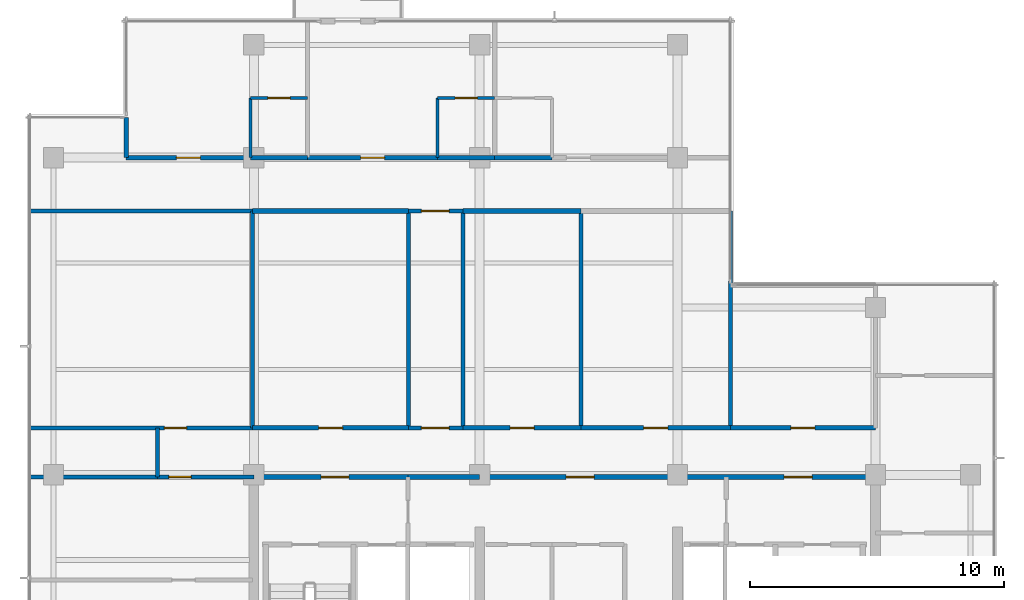
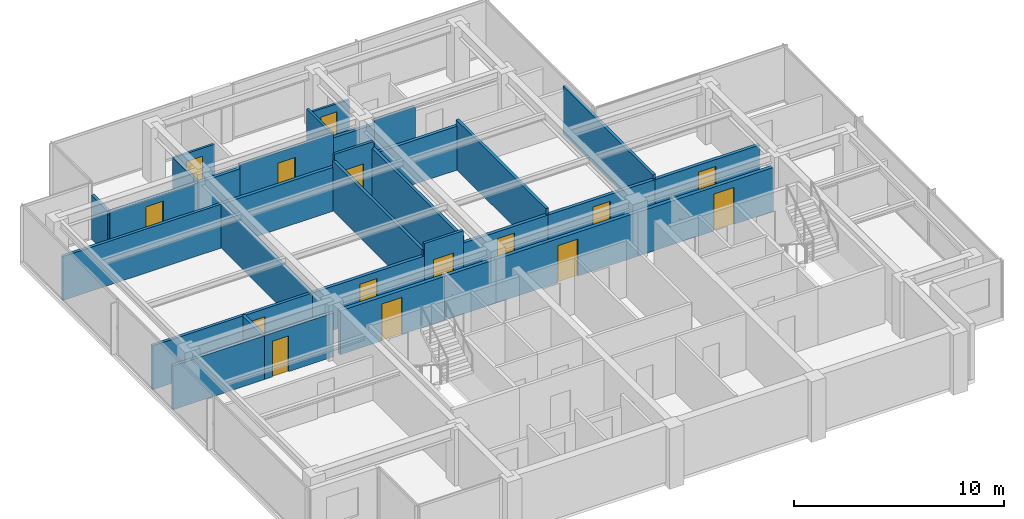
# One storey, part 7 of 11: 32 walls, 15 doors, 15 openings.
"""IFC4 building model written with IfcOpenShell, lengths in metres."""

from ifc_helpers import new_model, si_unit, direction, frame, frame_2d, origin, place, context, subcontext, project, spatial, rectangle, extrude, material, layer, layer_set, type_object, element, fill, save


model = new_model("IFC4")

# Units and contexts
model_context = context("Model", 3, precision=1e-05, world=origin(), true_north=direction((0.0, 1.0)))
body_context = subcontext(model_context, "Body", "Model", "MODEL_VIEW")
ifc_project = project(units=[si_unit("LENGTHUNIT", "METRE"), si_unit("AREAUNIT", "SQUARE_METRE"), si_unit("VOLUMEUNIT", "CUBIC_METRE"), si_unit("PLANEANGLEUNIT", "RADIAN"), si_unit("MASSUNIT", "GRAM", prefix="KILO")], contexts=[model_context])

# Site, building, storey
site_placement = place(None, origin())
site = spatial("IfcSite", under=ifc_project, at=site_placement, CompositionType="ELEMENT")
building_placement = place(site_placement, origin())
building = spatial("IfcBuilding", under=site, at=building_placement, Name="Qalmaran Belvedere Hotel", CompositionType="ELEMENT")
storey_placement = place(building_placement, frame((0.0, 0.0, 266.89990234375)))
storey = spatial("IfcBuildingStorey", under=building, at=storey_placement, Name="L69", CompositionType="ELEMENT", Elevation=266.89990234375)

# Wall, opening, door
ifc_material_1 = material(Name="Moisture-Resistant Gypsum")
ifc_layer_1 = layer(ifc_material_1, 0.1201171875, Name="Moisture-Resistant Gypsum")
ifc_layer_set_1 = layer_set([ifc_layer_1], Name="Moisture-Resistant Gypsum")
wall_type_1 = type_object("IfcWallType", Name="WL-INT-120-BATH", PredefinedType="PARTITIONING", material=ifc_layer_set_1)
wall_1_placement = place(storey_placement, frame((20.1630859375, 35.35009765625, 0.0), z_axis=(0.0, 0.0, 1.0), x_axis=(1.0, 0.0, 0.0)))
wall_1 = element("IfcWall", 1, at=wall_1_placement, inside=storey, type_object=wall_type_1, Name="L69 Partition WL-L69-NBN00", PredefinedType="PARTITIONING", context=body_context, shape_type="SweptSolid", body=[
    extrude(rectangle(XDim=2.25, YDim=0.1201171875, at=frame_2d((1.125, 0.0))), origin(), (0.0, 0.0, 1.0), 2.550048828125),
])
opening_1_placement = place(wall_1_placement, frame((1.56494140625, 0.0, 0.0), z_axis=(0.0, 0.0, 1.0), x_axis=(-1.0, 0.0, 0.0)))
opening_1 = element("IfcOpeningElement", 2, at=opening_1_placement, cuts=wall_1, Name="Opening D-BATH", PredefinedType="OPENING", context=body_context, shape_type="SweptSolid", body=[
    extrude(rectangle(XDim=0.8798828125, YDim=2.080078125, at=frame_2d((0.43994140625, 1.0400390625))), frame((0.0, 0.070068359375, 0.0), z_axis=(0.0, -1.0, 0.0), x_axis=(1.0, 0.0, 0.0)), (0.0, 0.0, 1.0), 0.14013671875),
])
ifc_material_2 = material(Name="Engineered Oak Veneer")
door_type_1 = type_object("IfcDoorType", Name="DR-INT-BATH-880X2080", OperationType="NOTDEFINED", PredefinedType="DOOR", material=ifc_material_2)
door_1_placement = place(opening_1_placement, origin())
door_1 = element("IfcDoor", 3, at=door_1_placement, inside=storey, type_object=door_type_1, Name="L69 Ensuite Bathroom Door N01", OperationType="SINGLE_SWING_RIGHT", OverallHeight=2.080078125, OverallWidth=0.8798828125, PredefinedType="DOOR", context=body_context, shape_type="SweptSolid", body=[
    extrude(rectangle(XDim=0.8798828125, YDim=2.080078125, at=frame_2d((0.43994140625, 1.0400390625))), frame((0.0, 0.02490234375, 0.0), z_axis=(0.0, -1.0, 0.0), x_axis=(1.0, 0.0, 0.0)), (0.0, 0.0, 1.0), 0.050048828125),
])
fill(opening_1, door_1)

# Wall
wall_2_placement = place(storey_placement, frame((20.1630859375, 33.0, 0.0), z_axis=(0.0, 0.0, 1.0), x_axis=(0.0, 1.0, 0.0)))
element("IfcWall", 4, at=wall_2_placement, inside=storey, type_object=wall_type_1, Name="L69 Partition WL-L69-NBS00", PredefinedType="PARTITIONING", context=body_context, shape_type="SweptSolid", body=[
    extrude(rectangle(XDim=2.35009765625, YDim=0.1201171875, at=frame_2d((1.175048828125, 0.0))), origin(), (0.0, 0.0, 1.0), 2.550048828125),
])

# Wall, opening, door
wall_3_placement = place(storey_placement, frame((27.544189453125, 35.35009765625, 0.0), z_axis=(0.0, 0.0, 1.0), x_axis=(1.0, 0.0, 0.0)))
wall_3 = element("IfcWall", 5, at=wall_3_placement, inside=storey, type_object=wall_type_1, Name="L69 Partition WL-L69-NBN01", PredefinedType="PARTITIONING", context=body_context, shape_type="SweptSolid", body=[
    extrude(rectangle(XDim=2.25, YDim=0.1201171875, at=frame_2d((1.125, 0.0))), origin(), (0.0, 0.0, 1.0), 2.550048828125),
])
opening_2_placement = place(wall_3_placement, frame((1.56494140625, 0.0, 0.0), z_axis=(0.0, 0.0, 1.0), x_axis=(-1.0, 0.0, 0.0)))
opening_2 = element("IfcOpeningElement", 6, at=opening_2_placement, cuts=wall_3, Name="Opening D-BATH", PredefinedType="OPENING", context=body_context, shape_type="SweptSolid", body=[
    extrude(rectangle(XDim=0.8798828125, YDim=2.080078125, at=frame_2d((0.43994140625, 1.0400390625))), frame((0.0, 0.070068359375, 0.0), z_axis=(0.0, -1.0, 0.0), x_axis=(1.0, 0.0, 0.0)), (0.0, 0.0, 1.0), 0.14013671875),
])
door_2_placement = place(opening_2_placement, origin())
door_2 = element("IfcDoor", 7, at=door_2_placement, inside=storey, type_object=door_type_1, Name="L69 Ensuite Bathroom Door N02", OperationType="SINGLE_SWING_RIGHT", OverallHeight=2.080078125, OverallWidth=0.8798828125, PredefinedType="DOOR", context=body_context, shape_type="SweptSolid", body=[
    extrude(rectangle(XDim=0.8798828125, YDim=2.080078125, at=frame_2d((0.43994140625, 1.0400390625))), frame((0.0, 0.02490234375, 0.0), z_axis=(0.0, -1.0, 0.0), x_axis=(1.0, 0.0, 0.0)), (0.0, 0.0, 1.0), 0.050048828125),
])
fill(opening_2, door_2)

# Wall
wall_4_placement = place(storey_placement, frame((27.544189453125, 33.0, 0.0), z_axis=(0.0, 0.0, 1.0), x_axis=(0.0, 1.0, 0.0)))
element("IfcWall", 8, at=wall_4_placement, inside=storey, type_object=wall_type_1, Name="L69 Partition WL-L69-NBS01", PredefinedType="PARTITIONING", context=body_context, shape_type="SweptSolid", body=[
    extrude(rectangle(XDim=2.35009765625, YDim=0.1201171875, at=frame_2d((1.175048828125, 0.0))), origin(), (0.0, 0.0, 1.0), 2.781982421875),
])

# Wall, opening, door
ifc_material_3 = material(Name="Gypsum Stud Partition")
ifc_layer_2 = layer(ifc_material_3, 0.14990234375, Name="Gypsum Stud Partition")
ifc_layer_set_2 = layer_set([ifc_layer_2], Name="Gypsum Stud Partition")
wall_type_2 = type_object("IfcWallType", Name="WL-INT-150-EI60", PredefinedType="PARTITIONING", material=ifc_layer_set_2)
wall_5_placement = place(storey_placement, frame((26.39990234375, 22.35009765625, 0.0), z_axis=(0.0, 0.0, 1.0), x_axis=(1.0, 0.0, 0.0)))
wall_5 = element("IfcWall", 9, at=wall_5_placement, inside=storey, type_object=wall_type_2, Name="L69 Partition WL-L69-XCLS", PredefinedType="PARTITIONING", context=body_context, shape_type="SweptSolid", body=[
    extrude(rectangle(XDim=2.150146484375, YDim=0.14990234375, at=frame_2d((1.0751953125, 0.0))), origin(), (0.0, 0.0, 1.0), 3.260009765625),
])
opening_3_placement = place(wall_5_placement, frame((0.5, 0.0, 0.0)))
opening_3 = element("IfcOpeningElement", 10, at=opening_3_placement, cuts=wall_5, Name="Opening FD90", PredefinedType="OPENING", context=body_context, shape_type="SweptSolid", body=[
    extrude(rectangle(XDim=1.10009765625, YDim=2.14990234375, at=frame_2d((0.550048828125, 1.074951171875))), frame((0.0, 0.0849609375, 0.0), z_axis=(0.0, -1.0, 0.0), x_axis=(1.0, 0.0, 0.0)), (0.0, 0.0, 1.0), 0.169921875),
])
ifc_material_4 = material(Name="Steel S355JR", Category="steel")
door_type_2 = type_object("IfcDoorType", Name="DR-FD90-1100X2150", OperationType="NOTDEFINED", PredefinedType="DOOR", material=ifc_material_4)
door_3_placement = place(opening_3_placement, origin())
door_3 = element("IfcDoor", 11, at=door_3_placement, inside=storey, type_object=door_type_2, Name="L69 Sky Link South Door", OperationType="SINGLE_SWING_LEFT", OverallHeight=2.14990234375, OverallWidth=1.10009765625, PredefinedType="DOOR", context=body_context, shape_type="SweptSolid", body=[
    extrude(rectangle(XDim=1.10009765625, YDim=2.14990234375, at=frame_2d((0.550048828125, 1.074951171875))), frame((0.0, 0.02490234375, 0.0), z_axis=(0.0, -1.0, 0.0), x_axis=(1.0, 0.0, 0.0)), (0.0, 0.0, 1.0), 0.050048828125),
])
fill(opening_3, door_3)

wall_6_placement = place(storey_placement, frame((26.39990234375, 30.89990234375, 0.0), z_axis=(0.0, 0.0, 1.0), x_axis=(1.0, 0.0, 0.0)))
wall_6 = element("IfcWall", 12, at=wall_6_placement, inside=storey, type_object=wall_type_2, Name="L69 Partition WL-L69-XCLN", PredefinedType="PARTITIONING", context=body_context, shape_type="SweptSolid", body=[
    extrude(rectangle(XDim=2.150146484375, YDim=0.14990234375, at=frame_2d((1.0751953125, 0.0))), origin(), (0.0, 0.0, 1.0), 3.260009765625),
])
opening_4_placement = place(wall_6_placement, frame((0.5, 0.0, 0.0)))
opening_4 = element("IfcOpeningElement", 13, at=opening_4_placement, cuts=wall_6, Name="Opening FD90", PredefinedType="OPENING", context=body_context, shape_type="SweptSolid", body=[
    extrude(rectangle(XDim=1.10009765625, YDim=2.14990234375, at=frame_2d((0.550048828125, 1.074951171875))), frame((0.0, 0.0849609375, 0.0), z_axis=(0.0, -1.0, 0.0), x_axis=(1.0, 0.0, 0.0)), (0.0, 0.0, 1.0), 0.169921875),
])
door_4_placement = place(opening_4_placement, origin())
door_4 = element("IfcDoor", 14, at=door_4_placement, inside=storey, type_object=door_type_2, Name="L69 Sky Link North Door", OperationType="SINGLE_SWING_RIGHT", OverallHeight=2.14990234375, OverallWidth=1.10009765625, PredefinedType="DOOR", context=body_context, shape_type="SweptSolid", body=[
    extrude(rectangle(XDim=1.10009765625, YDim=2.14990234375, at=frame_2d((0.550048828125, 1.074951171875))), frame((0.0, 0.02490234375, 0.0), z_axis=(0.0, -1.0, 0.0), x_axis=(1.0, 0.0, 0.0)), (0.0, 0.0, 1.0), 0.050048828125),
])
fill(opening_4, door_4)

# Wall
ifc_layer_3 = layer(ifc_material_3, 0.159912109375, Name="Gypsum Stud Partition")
ifc_layer_set_3 = layer_set([ifc_layer_3], Name="Gypsum Stud Partition")
wall_type_3 = type_object("IfcWallType", Name="WL-INT-160-EI60", PredefinedType="PARTITIONING", material=ifc_layer_set_3)
wall_7_placement = place(storey_placement, frame((11.469970703125, 20.419921875, 0.0), z_axis=(0.0, 0.0, 1.0), x_axis=(1.0, 0.0, 0.0)))
element("IfcWall", 15, at=wall_7_placement, inside=storey, type_object=wall_type_3, Name="L69 Partition WL-L69-C4WS1", PredefinedType="PARTITIONING", context=body_context, shape_type="SweptSolid", body=[
    extrude(rectangle(XDim=5.030029296875, YDim=0.159912109375, at=frame_2d((2.51513671875, 0.0))), origin(), (0.0, 0.0, 1.0), 2.550048828125),
])

# Wall, opening, door
wall_8_placement = place(storey_placement, frame((16.5, 20.419921875, 0.0), z_axis=(0.0, 0.0, 1.0), x_axis=(1.0, 0.0, 0.0)))
wall_8 = element("IfcWall", 16, at=wall_8_placement, inside=storey, type_object=wall_type_3, Name="L69 Partition WL-L69-C4WS2", PredefinedType="PARTITIONING", context=body_context, shape_type="SweptSolid", body=[
    extrude(rectangle(XDim=3.800048828125, YDim=0.159912109375, at=frame_2d((1.89990234375, 0.0))), origin(), (0.0, 0.0, 1.0), 2.550048828125),
])
opening_5_placement = place(wall_8_placement, frame((1.329833984375, 0.0, 0.0), z_axis=(0.0, 0.0, 1.0), x_axis=(-1.0, 0.0, 0.0)))
opening_5 = element("IfcOpeningElement", 17, at=opening_5_placement, cuts=wall_8, Name="Opening FD60B", PredefinedType="OPENING", context=body_context, shape_type="SweptSolid", body=[
    extrude(rectangle(XDim=0.8798828125, YDim=2.080078125, at=frame_2d((0.43994140625, 1.0400390625))), frame((0.0, 0.08984375, 0.0), z_axis=(0.0, -1.0, 0.0), x_axis=(1.0, 0.0, 0.0)), (0.0, 0.0, 1.0), 0.179931640625),
])
door_type_3 = type_object("IfcDoorType", Name="DR-FD60B-880X2080", OperationType="NOTDEFINED", PredefinedType="DOOR", material=ifc_material_4)
door_5_placement = place(opening_5_placement, origin())
door_5 = element("IfcDoor", 18, at=door_5_placement, inside=storey, type_object=door_type_3, Name="L69 West Salon Door", OperationType="SINGLE_SWING_RIGHT", OverallHeight=2.080078125, OverallWidth=0.8798828125, PredefinedType="DOOR", context=body_context, shape_type="SweptSolid", body=[
    extrude(rectangle(XDim=0.8798828125, YDim=2.080078125, at=frame_2d((0.43994140625, 1.0400390625))), frame((0.0, 0.02490234375, 0.0), z_axis=(0.0, -1.0, 0.0), x_axis=(1.0, 0.0, 0.0)), (0.0, 0.0, 1.0), 0.050048828125),
])
fill(opening_5, door_5)

# Wall
wall_9_placement = place(storey_placement, frame((16.5, 20.419921875, 0.0), z_axis=(0.0, 0.0, 1.0), x_axis=(0.0, 1.0, 0.0)))
element("IfcWall", 19, at=wall_9_placement, inside=storey, type_object=wall_type_3, Name="L69 Partition WL-L69-C4WW", PredefinedType="PARTITIONING", context=body_context, shape_type="SweptSolid", body=[
    extrude(rectangle(XDim=1.93017578125, YDim=0.159912109375, at=frame_2d((0.965087890625, 0.0))), origin(), (0.0, 0.0, 1.0), 2.550048828125),
])

# Wall, opening, door
wall_10_placement = place(storey_placement, frame((11.469970703125, 22.35009765625, 0.0), z_axis=(0.0, 0.0, 1.0), x_axis=(1.0, 0.0, 0.0)))
wall_10 = element("IfcWall", 20, at=wall_10_placement, inside=storey, type_object=wall_type_3, Name="L69 Partition WL-L69-C4WN0", PredefinedType="PARTITIONING", context=body_context, shape_type="SweptSolid", body=[
    extrude(rectangle(XDim=8.780029296875, YDim=0.159912109375, at=frame_2d((4.39013671875, 0.0))), origin(), (0.0, 0.0, 1.0), 2.550048828125),
])
opening_6_placement = place(wall_10_placement, frame((5.300048828125, 0.0, 0.0)))
opening_6 = element("IfcOpeningElement", 21, at=opening_6_placement, cuts=wall_10, Name="Opening FD60B", PredefinedType="OPENING", context=body_context, shape_type="SweptSolid", body=[
    extrude(rectangle(XDim=0.8798828125, YDim=2.080078125, at=frame_2d((0.43994140625, 1.0400390625))), frame((0.0, 0.08984375, 0.0), z_axis=(0.0, -1.0, 0.0), x_axis=(1.0, 0.0, 0.0)), (0.0, 0.0, 1.0), 0.179931640625),
])
door_6_placement = place(opening_6_placement, origin())
door_6 = element("IfcDoor", 22, at=door_6_placement, inside=storey, type_object=door_type_3, Name="L69 NW Salon Door", OperationType="SINGLE_SWING_LEFT", OverallHeight=2.080078125, OverallWidth=0.8798828125, PredefinedType="DOOR", context=body_context, shape_type="SweptSolid", body=[
    extrude(rectangle(XDim=0.8798828125, YDim=2.080078125, at=frame_2d((0.43994140625, 1.0400390625))), frame((0.0, 0.02490234375, 0.0), z_axis=(0.0, -1.0, 0.0), x_axis=(1.0, 0.0, 0.0)), (0.0, 0.0, 1.0), 0.050048828125),
])
fill(opening_6, door_6)

# Walls
wall_11_placement = place(storey_placement, frame((11.469970703125, 30.89990234375, 0.0), z_axis=(0.0, 0.0, 1.0), x_axis=(1.0, 0.0, 0.0)))
element("IfcWall", 23, at=wall_11_placement, inside=storey, type_object=wall_type_3, Name="L69 Partition WL-L69-C4WN1", PredefinedType="PARTITIONING", context=body_context, shape_type="SweptSolid", body=[
    extrude(rectangle(XDim=8.780029296875, YDim=0.159912109375, at=frame_2d((4.39013671875, 0.0))), origin(), (0.0, 0.0, 1.0), 2.550048828125),
])
wall_12_placement = place(storey_placement, frame((20.25, 22.35009765625, 0.0), z_axis=(0.0, 0.0, 1.0), x_axis=(0.0, 1.0, 0.0)))
element("IfcWall", 24, at=wall_12_placement, inside=storey, type_object=wall_type_3, Name="L69 Partition WL-L69-C4MWVL", PredefinedType="PARTITIONING", context=body_context, shape_type="SweptSolid", body=[
    extrude(rectangle(XDim=8.5498046875, YDim=0.159912109375, at=frame_2d((4.27490234375, 0.0))), origin(), (0.0, 0.0, 1.0), 2.550048828125),
])
for number, where, z_axis, x_axis, name in (
    (25, (26.39990234375, 22.35009765625, 0.0), (0.0, 0.0, 1.0), (0.0, 1.0, 0.0), "L69 Partition WL-L69-C4MWVR1"),
    (26, (28.550048828125, 22.35009765625, 0.0), (0.0, 0.0, 1.0), (0.0, 1.0, 0.0), "L69 Partition WL-L69-C4MEVL"),
    (27, (33.199951171875, 22.35009765625, 0.0), (0.0, 0.0, 1.0), (0.0, 1.0, 0.0), "L69 Partition WL-L69-C4MEVR1"),
):
    element("IfcWall", number, at=place(storey_placement, frame(where, z_axis=z_axis, x_axis=x_axis)), inside=storey, type_object=wall_type_3, Name=name, PredefinedType="PARTITIONING", context=body_context, shape_type="SweptSolid", body=[
        extrude(rectangle(XDim=8.5498046875, YDim=0.159912109375, at=frame_2d((4.27490234375, 0.0))), origin(), (0.0, 0.0, 1.0), 2.88720703125),
    ])
wall_13_placement = place(storey_placement, frame((39.080078125, 22.35009765625, 0.0), z_axis=(0.0, 0.0, 1.0), x_axis=(0.0, 1.0, 0.0)))
element("IfcWall", 28, at=wall_13_placement, inside=storey, type_object=wall_type_3, Name="L69 Partition WL-L69-C4MEVR2", PredefinedType="PARTITIONING", context=body_context, shape_type="SweptSolid", body=[
    extrude(rectangle(XDim=8.5498046875, YDim=0.159912109375, at=frame_2d((4.27490234375, 0.0))), origin(), (0.0, 0.0, 1.0), 2.781982421875),
])
wall_14_placement = place(storey_placement, frame((15.27001953125, 33.0, 0.0), z_axis=(0.0, 0.0, 1.0), x_axis=(0.0, 1.0, 0.0)))
element("IfcWall", 29, at=wall_14_placement, inside=storey, type_object=wall_type_3, Name="L69 Partition WL-L69-NUL", PredefinedType="PARTITIONING", context=body_context, shape_type="SweptSolid", body=[
    extrude(rectangle(XDim=1.580078125, YDim=0.159912109375, at=frame_2d((0.7900390625, 0.0))), origin(), (0.0, 0.0, 1.0), 2.550048828125),
])

# Wall, opening, door
ifc_layer_4 = layer(ifc_material_3, 0.179931640625, Name="Gypsum Stud Partition")
ifc_layer_set_4 = layer_set([ifc_layer_4], Name="Gypsum Stud Partition")
wall_type_4 = type_object("IfcWallType", Name="WL-INT-180-EI60", PredefinedType="PARTITIONING", material=ifc_layer_set_4)
wall_15_placement = place(storey_placement, frame((20.25, 22.35009765625, 0.0), z_axis=(0.0, 0.0, 1.0), x_axis=(1.0, 0.0, 0.0)))
wall_15 = element("IfcWall", 30, at=wall_15_placement, inside=storey, type_object=wall_type_4, Name="L69 Partition WL-L69-C4MWD1", PredefinedType="PARTITIONING", context=body_context, shape_type="SweptSolid", body=[
    extrude(rectangle(XDim=6.14990234375, YDim=0.179931640625, at=frame_2d((3.074951171875, 0.0))), origin(), (0.0, 0.0, 1.0), 2.550048828125),
])
opening_7_placement = place(wall_15_placement, frame((2.60009765625, 0.0, 0.0)))
opening_7 = element("IfcOpeningElement", 31, at=opening_7_placement, cuts=wall_15, Name="Opening FD60", PredefinedType="OPENING", context=body_context, shape_type="SweptSolid", body=[
    extrude(rectangle(XDim=0.949951171875, YDim=2.14990234375, at=frame_2d((0.47509765625, 1.074951171875))), frame((0.0, 0.10009765625, 0.0), z_axis=(0.0, -1.0, 0.0), x_axis=(1.0, 0.0, 0.0)), (0.0, 0.0, 1.0), 0.199951171875),
])
door_type_4 = type_object("IfcDoorType", Name="DR-FD60-950X2150", OperationType="NOTDEFINED", PredefinedType="DOOR", material=ifc_material_2)
door_7_placement = place(opening_7_placement, origin())
door_7 = element("IfcDoor", 32, at=door_7_placement, inside=storey, type_object=door_type_4, Name="L69 Housekeeping and Linen Room Door", OperationType="SINGLE_SWING_RIGHT", OverallHeight=2.14990234375, OverallWidth=0.949951171875, PredefinedType="DOOR", context=body_context, shape_type="SweptSolid", body=[
    extrude(rectangle(XDim=0.949951171875, YDim=2.14990234375, at=frame_2d((0.47509765625, 1.074951171875))), frame((0.0, 0.02490234375, 0.0), z_axis=(0.0, -1.0, 0.0), x_axis=(1.0, 0.0, 0.0)), (0.0, 0.0, 1.0), 0.050048828125),
])
fill(opening_7, door_7)

# Wall
wall_16_placement = place(storey_placement, frame((20.25, 30.89990234375, 0.0), z_axis=(0.0, 0.0, 1.0), x_axis=(1.0, 0.0, 0.0)))
element("IfcWall", 33, at=wall_16_placement, inside=storey, type_object=wall_type_4, Name="L69 Partition WL-L69-C4MWO1", PredefinedType="PARTITIONING", context=body_context, shape_type="SweptSolid", body=[
    extrude(rectangle(XDim=6.14990234375, YDim=0.179931640625, at=frame_2d((3.074951171875, 0.0))), origin(), (0.0, 0.0, 1.0), 2.550048828125),
])

# Wall, opening, door
wall_17_placement = place(storey_placement, frame((28.550048828125, 22.35009765625, 0.0), z_axis=(0.0, 0.0, 1.0), x_axis=(1.0, 0.0, 0.0)))
wall_17 = element("IfcWall", 34, at=wall_17_placement, inside=storey, type_object=wall_type_4, Name="L69 Partition WL-L69-C4MED1", PredefinedType="PARTITIONING", context=body_context, shape_type="SweptSolid", body=[
    extrude(rectangle(XDim=4.64990234375, YDim=0.179931640625, at=frame_2d((2.324951171875, 0.0))), origin(), (0.0, 0.0, 1.0), 2.550048828125),
])
opening_8_placement = place(wall_17_placement, frame((1.85009765625, 0.0, 0.0)))
opening_8 = element("IfcOpeningElement", 35, at=opening_8_placement, cuts=wall_17, Name="Opening FD60", PredefinedType="OPENING", context=body_context, shape_type="SweptSolid", body=[
    extrude(rectangle(XDim=0.949951171875, YDim=2.14990234375, at=frame_2d((0.47509765625, 1.074951171875))), frame((0.0, 0.10009765625, 0.0), z_axis=(0.0, -1.0, 0.0), x_axis=(1.0, 0.0, 0.0)), (0.0, 0.0, 1.0), 0.199951171875),
])
door_8_placement = place(opening_8_placement, origin())
door_8 = element("IfcDoor", 36, at=door_8_placement, inside=storey, type_object=door_type_4, Name="L69 Drawing Lounge Door", OperationType="SINGLE_SWING_LEFT", OverallHeight=2.14990234375, OverallWidth=0.949951171875, PredefinedType="DOOR", context=body_context, shape_type="SweptSolid", body=[
    extrude(rectangle(XDim=0.949951171875, YDim=2.14990234375, at=frame_2d((0.47509765625, 1.074951171875))), frame((0.0, 0.02490234375, 0.0), z_axis=(0.0, -1.0, 0.0), x_axis=(1.0, 0.0, 0.0)), (0.0, 0.0, 1.0), 0.050048828125),
])
fill(opening_8, door_8)

# Wall
wall_18_placement = place(storey_placement, frame((28.550048828125, 30.89990234375, 0.0), z_axis=(0.0, 0.0, 1.0), x_axis=(1.0, 0.0, 0.0)))
element("IfcWall", 37, at=wall_18_placement, inside=storey, type_object=wall_type_4, Name="L69 Partition WL-L69-C4MEO1", PredefinedType="PARTITIONING", context=body_context, shape_type="SweptSolid", body=[
    extrude(rectangle(XDim=4.64990234375, YDim=0.179931640625, at=frame_2d((2.324951171875, 0.0))), origin(), (0.0, 0.0, 1.0), 2.550048828125),
])

# Wall, opening, door
wall_19_placement = place(storey_placement, frame((33.199951171875, 22.35009765625, 0.0), z_axis=(0.0, 0.0, 1.0), x_axis=(1.0, 0.0, 0.0)))
wall_19 = element("IfcWall", 38, at=wall_19_placement, inside=storey, type_object=wall_type_4, Name="L69 Partition WL-L69-C4MED2", PredefinedType="PARTITIONING", context=body_context, shape_type="SweptSolid", body=[
    extrude(rectangle(XDim=5.880126953125, YDim=0.179931640625, at=frame_2d((2.93994140625, 0.0))), origin(), (0.0, 0.0, 1.0), 2.550048828125),
])
opening_9_placement = place(wall_19_placement, frame((2.465087890625, 0.0, 0.0)))
opening_9 = element("IfcOpeningElement", 39, at=opening_9_placement, cuts=wall_19, Name="Opening FD60", PredefinedType="OPENING", context=body_context, shape_type="SweptSolid", body=[
    extrude(rectangle(XDim=0.949951171875, YDim=2.14990234375, at=frame_2d((0.47509765625, 1.074951171875))), frame((0.0, 0.10009765625, 0.0), z_axis=(0.0, -1.0, 0.0), x_axis=(1.0, 0.0, 0.0)), (0.0, 0.0, 1.0), 0.199951171875),
])
door_9_placement = place(opening_9_placement, origin())
door_9 = element("IfcDoor", 40, at=door_9_placement, inside=storey, type_object=door_type_4, Name="L69 Sitting Lounge Door", OperationType="SINGLE_SWING_RIGHT", OverallHeight=2.14990234375, OverallWidth=0.949951171875, PredefinedType="DOOR", context=body_context, shape_type="SweptSolid", body=[
    extrude(rectangle(XDim=0.949951171875, YDim=2.14990234375, at=frame_2d((0.47509765625, 1.074951171875))), frame((0.0, 0.02490234375, 0.0), z_axis=(0.0, -1.0, 0.0), x_axis=(1.0, 0.0, 0.0)), (0.0, 0.0, 1.0), 0.050048828125),
])
fill(opening_9, door_9)

wall_20_placement = place(storey_placement, frame((39.080078125, 22.35009765625, 0.0), z_axis=(0.0, 0.0, 1.0), x_axis=(1.0, 0.0, 0.0)))
wall_20 = element("IfcWall", 41, at=wall_20_placement, inside=storey, type_object=wall_type_4, Name="L69 Partition WL-L69-C4MFD1", PredefinedType="PARTITIONING", context=body_context, shape_type="SweptSolid", body=[
    extrude(rectangle(XDim=5.719970703125, YDim=0.179931640625, at=frame_2d((2.85986328125, 0.0))), origin(), (0.0, 0.0, 1.0), 2.550048828125),
])
opening_10_placement = place(wall_20_placement, frame((2.385009765625, 0.0, 0.0)))
opening_10 = element("IfcOpeningElement", 42, at=opening_10_placement, cuts=wall_20, Name="Opening FD60", PredefinedType="OPENING", context=body_context, shape_type="SweptSolid", body=[
    extrude(rectangle(XDim=0.949951171875, YDim=2.14990234375, at=frame_2d((0.47509765625, 1.074951171875))), frame((0.0, 0.10009765625, 0.0), z_axis=(0.0, -1.0, 0.0), x_axis=(1.0, 0.0, 0.0)), (0.0, 0.0, 1.0), 0.199951171875),
])
door_10_placement = place(opening_10_placement, origin())
door_10 = element("IfcDoor", 43, at=door_10_placement, inside=storey, type_object=door_type_4, Name="L69 Family Lounge Door", OperationType="SINGLE_SWING_LEFT", OverallHeight=2.14990234375, OverallWidth=0.949951171875, PredefinedType="DOOR", context=body_context, shape_type="SweptSolid", body=[
    extrude(rectangle(XDim=0.949951171875, YDim=2.14990234375, at=frame_2d((0.47509765625, 1.074951171875))), frame((0.0, 0.02490234375, 0.0), z_axis=(0.0, -1.0, 0.0), x_axis=(1.0, 0.0, 0.0)), (0.0, 0.0, 1.0), 0.050048828125),
])
fill(opening_10, door_10)

# Wall
wall_21_placement = place(storey_placement, frame((20.1630859375, 33.0, 0.0), z_axis=(0.0, 0.0, 1.0), x_axis=(1.0, 0.0, 0.0)))
element("IfcWall", 44, at=wall_21_placement, inside=storey, type_object=wall_type_4, Name="L69 Partition WL-L69-NBC00", PredefinedType="PARTITIONING", context=body_context, shape_type="SweptSolid", body=[
    extrude(rectangle(XDim=2.25, YDim=0.179931640625, at=frame_2d((1.125, 0.0))), origin(), (0.0, 0.0, 1.0), 2.550048828125),
])

# Wall, opening, door
wall_22_placement = place(storey_placement, frame((15.27001953125, 33.0, 0.0), z_axis=(0.0, 0.0, 1.0), x_axis=(1.0, 0.0, 0.0)))
wall_22 = element("IfcWall", 45, at=wall_22_placement, inside=storey, type_object=wall_type_4, Name="L69 Partition WL-L69-NEC00", PredefinedType="PARTITIONING", context=body_context, shape_type="SweptSolid", body=[
    extrude(rectangle(XDim=4.89306640625, YDim=0.179931640625, at=frame_2d((2.446533203125, 0.0))), origin(), (0.0, 0.0, 1.0), 2.550048828125),
])
opening_11_placement = place(wall_22_placement, frame((1.971435546875, 0.0, 0.0)))
opening_11 = element("IfcOpeningElement", 46, at=opening_11_placement, cuts=wall_22, Name="Opening FD60", PredefinedType="OPENING", context=body_context, shape_type="SweptSolid", body=[
    extrude(rectangle(XDim=0.949951171875, YDim=2.14990234375, at=frame_2d((0.47509765625, 1.074951171875))), frame((0.0, 0.10009765625, 0.0), z_axis=(0.0, -1.0, 0.0), x_axis=(1.0, 0.0, 0.0)), (0.0, 0.0, 1.0), 0.199951171875),
])
door_11_placement = place(opening_11_placement, origin())
door_11 = element("IfcDoor", 47, at=door_11_placement, inside=storey, type_object=door_type_4, Name="L69 Guest Entrance Door N01", OperationType="SINGLE_SWING_LEFT", OverallHeight=2.14990234375, OverallWidth=0.949951171875, PredefinedType="DOOR", context=body_context, shape_type="SweptSolid", body=[
    extrude(rectangle(XDim=0.949951171875, YDim=2.14990234375, at=frame_2d((0.47509765625, 1.074951171875))), frame((0.0, 0.02490234375, 0.0), z_axis=(0.0, -1.0, 0.0), x_axis=(1.0, 0.0, 0.0)), (0.0, 0.0, 1.0), 0.050048828125),
])
fill(opening_11, door_11)

# Wall
wall_23_placement = place(storey_placement, frame((27.544189453125, 33.0, 0.0), z_axis=(0.0, 0.0, 1.0), x_axis=(1.0, 0.0, 0.0)))
element("IfcWall", 48, at=wall_23_placement, inside=storey, type_object=wall_type_4, Name="L69 Partition WL-L69-NBC01", PredefinedType="PARTITIONING", context=body_context, shape_type="SweptSolid", body=[
    extrude(rectangle(XDim=2.25, YDim=0.179931640625, at=frame_2d((1.125, 0.0))), origin(), (0.0, 0.0, 1.0), 2.550048828125),
])

# Wall, opening, door
wall_24_placement = place(storey_placement, frame((22.4130859375, 33.0, 0.0), z_axis=(0.0, 0.0, 1.0), x_axis=(1.0, 0.0, 0.0)))
wall_24 = element("IfcWall", 49, at=wall_24_placement, inside=storey, type_object=wall_type_4, Name="L69 Partition WL-L69-NEC01", PredefinedType="PARTITIONING", context=body_context, shape_type="SweptSolid", body=[
    extrude(rectangle(XDim=5.131103515625, YDim=0.179931640625, at=frame_2d((2.5654296875, 0.0))), origin(), (0.0, 0.0, 1.0), 2.781982421875),
])
opening_12_placement = place(wall_24_placement, frame((2.090576171875, 0.0, 0.0)))
opening_12 = element("IfcOpeningElement", 50, at=opening_12_placement, cuts=wall_24, Name="Opening FD60", PredefinedType="OPENING", context=body_context, shape_type="SweptSolid", body=[
    extrude(rectangle(XDim=0.949951171875, YDim=2.14990234375, at=frame_2d((0.47509765625, 1.074951171875))), frame((0.0, 0.10009765625, 0.0), z_axis=(0.0, -1.0, 0.0), x_axis=(1.0, 0.0, 0.0)), (0.0, 0.0, 1.0), 0.199951171875),
])
door_12_placement = place(opening_12_placement, origin())
door_12 = element("IfcDoor", 51, at=door_12_placement, inside=storey, type_object=door_type_4, Name="L69 Guest Entrance Door N02", OperationType="SINGLE_SWING_LEFT", OverallHeight=2.14990234375, OverallWidth=0.949951171875, PredefinedType="DOOR", context=body_context, shape_type="SweptSolid", body=[
    extrude(rectangle(XDim=0.949951171875, YDim=2.14990234375, at=frame_2d((0.47509765625, 1.074951171875))), frame((0.0, 0.02490234375, 0.0), z_axis=(0.0, -1.0, 0.0), x_axis=(1.0, 0.0, 0.0)), (0.0, 0.0, 1.0), 0.050048828125),
])
fill(opening_12, door_12)

# Wall
wall_25_placement = place(storey_placement, frame((29.794189453125, 33.0, 0.0), z_axis=(0.0, 0.0, 1.0), x_axis=(1.0, 0.0, 0.0)))
element("IfcWall", 52, at=wall_25_placement, inside=storey, type_object=wall_type_4, Name="L69 Partition WL-L69-NBC02", PredefinedType="PARTITIONING", context=body_context, shape_type="SweptSolid", body=[
    extrude(rectangle(XDim=2.25, YDim=0.179931640625, at=frame_2d((1.125, 0.0))), origin(), (0.0, 0.0, 1.0), 2.781982421875),
])

# Wall, opening, door
ifc_material_5 = material(Name="Concrete C30/37 Blockwork", Category="masonry")
ifc_layer_5 = layer(ifc_material_5, 0.199951171875, Name="Concrete C30/37 Blockwork")
ifc_layer_set_5 = layer_set([ifc_layer_5], Name="Concrete C30/37 Blockwork")
wall_type_5 = type_object("IfcWallType", Name="WL-INT-200-EI120", PredefinedType="PARTITIONING", material=ifc_layer_set_5)
wall_26_placement = place(storey_placement, frame((20.64990234375, 20.419921875, 0.0), z_axis=(0.0, 0.0, 1.0), x_axis=(1.0, 0.0, 0.0)))
wall_26 = element("IfcWall", 53, at=wall_26_placement, inside=storey, type_object=wall_type_5, Name="L69 Partition WL-CN1A-L69", PredefinedType="PARTITIONING", context=body_context, shape_type="SweptSolid", body=[
    extrude(rectangle(XDim=5.72998046875, YDim=0.199951171875, at=frame_2d((2.864990234375, 0.0))), origin(), (0.0, 0.0, 1.0), 2.550048828125),
])
opening_13_placement = place(wall_26_placement, frame((2.300048828125, 0.0, 0.0)))
opening_13 = element("IfcOpeningElement", 54, at=opening_13_placement, cuts=wall_26, Name="Opening FD90", PredefinedType="OPENING", context=body_context, shape_type="SweptSolid", body=[
    extrude(rectangle(XDim=1.10009765625, YDim=2.14990234375, at=frame_2d((0.550048828125, 1.074951171875))), frame((0.0, 0.10986328125, 0.0), z_axis=(0.0, -1.0, 0.0), x_axis=(1.0, 0.0, 0.0)), (0.0, 0.0, 1.0), 0.219970703125),
])
door_13_placement = place(opening_13_placement, origin())
door_13 = element("IfcDoor", 55, at=door_13_placement, inside=storey, type_object=door_type_2, Name="L69 FF1 Lobby Corridor Door", OperationType="SINGLE_SWING_RIGHT", OverallHeight=2.14990234375, OverallWidth=1.10009765625, PredefinedType="DOOR", context=body_context, shape_type="SweptSolid", body=[
    extrude(rectangle(XDim=1.10009765625, YDim=2.14990234375, at=frame_2d((0.550048828125, 1.074951171875))), frame((0.0, 0.02490234375, 0.0), z_axis=(0.0, -1.0, 0.0), x_axis=(1.0, 0.0, 0.0)), (0.0, 0.0, 1.0), 0.050048828125),
])
fill(opening_13, door_13)

# Wall
wall_27_placement = place(storey_placement, frame((26.3798828125, 20.419921875, 0.0), z_axis=(0.0, 0.0, 1.0), x_axis=(1.0, 0.0, 0.0)))
element("IfcWall", 56, at=wall_27_placement, inside=storey, type_object=wall_type_5, Name="L69 Partition WL-CN1B-L69", PredefinedType="PARTITIONING", context=body_context, shape_type="SweptSolid", body=[
    extrude(rectangle(XDim=2.820068359375, YDim=0.199951171875, at=frame_2d((1.41015625, 0.0))), origin(), (0.0, 0.0, 1.0), 2.550048828125),
])

# Wall, opening, door
wall_28_placement = place(storey_placement, frame((29.199951171875, 20.419921875, 0.0), z_axis=(0.0, 0.0, 1.0), x_axis=(1.0, 0.0, 0.0)))
wall_28 = element("IfcWall", 57, at=wall_28_placement, inside=storey, type_object=wall_type_5, Name="L69 Partition WL-CN2-L69", PredefinedType="PARTITIONING", context=body_context, shape_type="SweptSolid", body=[
    extrude(rectangle(XDim=7.800048828125, YDim=0.199951171875, at=frame_2d((3.89990234375, 0.0))), origin(), (0.0, 0.0, 1.0), 2.550048828125),
])
opening_14_placement = place(wall_28_placement, frame((3.4091796875, 0.0, 0.0)))
opening_14 = element("IfcOpeningElement", 58, at=opening_14_placement, cuts=wall_28, Name="Opening FD90", PredefinedType="OPENING", context=body_context, shape_type="SweptSolid", body=[
    extrude(rectangle(XDim=1.10009765625, YDim=2.14990234375, at=frame_2d((0.550048828125, 1.074951171875))), frame((0.0, 0.10986328125, 0.0), z_axis=(0.0, -1.0, 0.0), x_axis=(1.0, 0.0, 0.0)), (0.0, 0.0, 1.0), 0.219970703125),
])
door_14_placement = place(opening_14_placement, origin())
door_14 = element("IfcDoor", 59, at=door_14_placement, inside=storey, type_object=door_type_2, Name="L69 Central Lift Lobby Door", OperationType="SINGLE_SWING_LEFT", OverallHeight=2.14990234375, OverallWidth=1.10009765625, PredefinedType="DOOR", context=body_context, shape_type="SweptSolid", body=[
    extrude(rectangle(XDim=1.10009765625, YDim=2.14990234375, at=frame_2d((0.550048828125, 1.074951171875))), frame((0.0, 0.02490234375, 0.0), z_axis=(0.0, -1.0, 0.0), x_axis=(1.0, 0.0, 0.0)), (0.0, 0.0, 1.0), 0.050048828125),
])
fill(opening_14, door_14)

wall_29_placement = place(storey_placement, frame((37.0, 20.419921875, 0.0), z_axis=(0.0, 0.0, 1.0), x_axis=(1.0, 0.0, 0.0)))
wall_29 = element("IfcWall", 60, at=wall_29_placement, inside=storey, type_object=wall_type_5, Name="L69 Partition WL-CN3-L69", PredefinedType="PARTITIONING", context=body_context, shape_type="SweptSolid", body=[
    extrude(rectangle(XDim=7.449951171875, YDim=0.199951171875, at=frame_2d((3.72509765625, 0.0))), origin(), (0.0, 0.0, 1.0), 2.550048828125),
])
opening_15_placement = place(wall_29_placement, frame((4.199951171875, 0.0, 0.0)))
opening_15 = element("IfcOpeningElement", 61, at=opening_15_placement, cuts=wall_29, Name="Opening FD90", PredefinedType="OPENING", context=body_context, shape_type="SweptSolid", body=[
    extrude(rectangle(XDim=1.10009765625, YDim=2.14990234375, at=frame_2d((0.550048828125, 1.074951171875))), frame((0.0, 0.10986328125, 0.0), z_axis=(0.0, -1.0, 0.0), x_axis=(1.0, 0.0, 0.0)), (0.0, 0.0, 1.0), 0.219970703125),
])
door_15_placement = place(opening_15_placement, origin())
door_15 = element("IfcDoor", 62, at=door_15_placement, inside=storey, type_object=door_type_2, Name="L69 FF2 Lobby Corridor Door", OperationType="SINGLE_SWING_RIGHT", OverallHeight=2.14990234375, OverallWidth=1.10009765625, PredefinedType="DOOR", context=body_context, shape_type="SweptSolid", body=[
    extrude(rectangle(XDim=1.10009765625, YDim=2.14990234375, at=frame_2d((0.550048828125, 1.074951171875))), frame((0.0, 0.02490234375, 0.0), z_axis=(0.0, -1.0, 0.0), x_axis=(1.0, 0.0, 0.0)), (0.0, 0.0, 1.0), 0.050048828125),
])
fill(opening_15, door_15)

save(model, "model.ifc")
